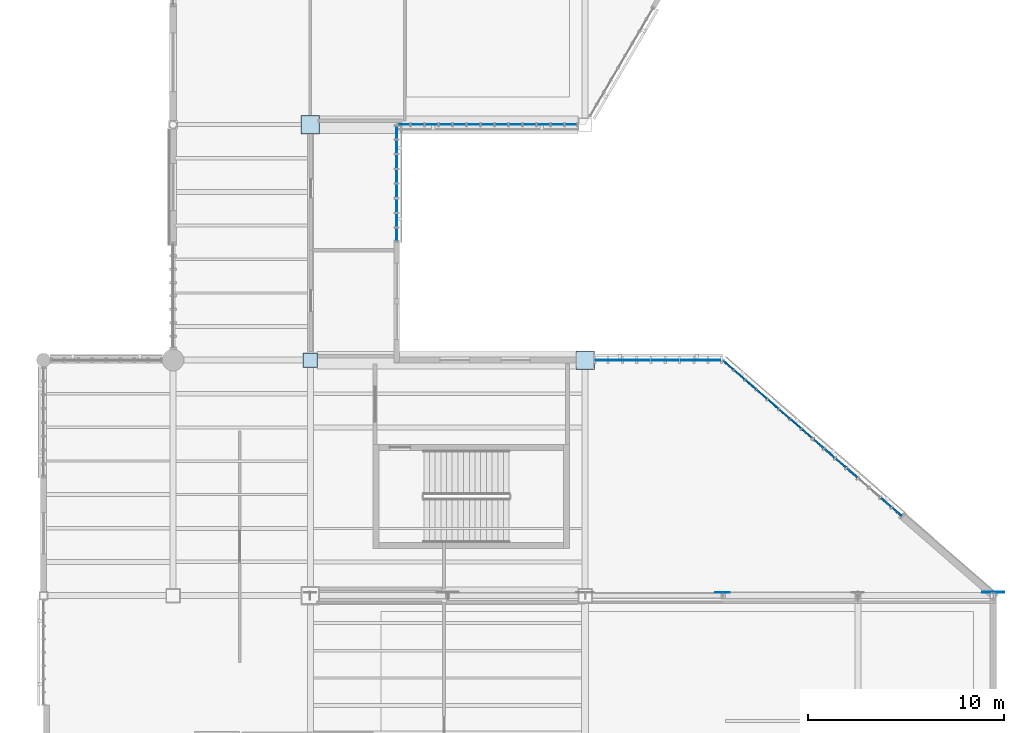
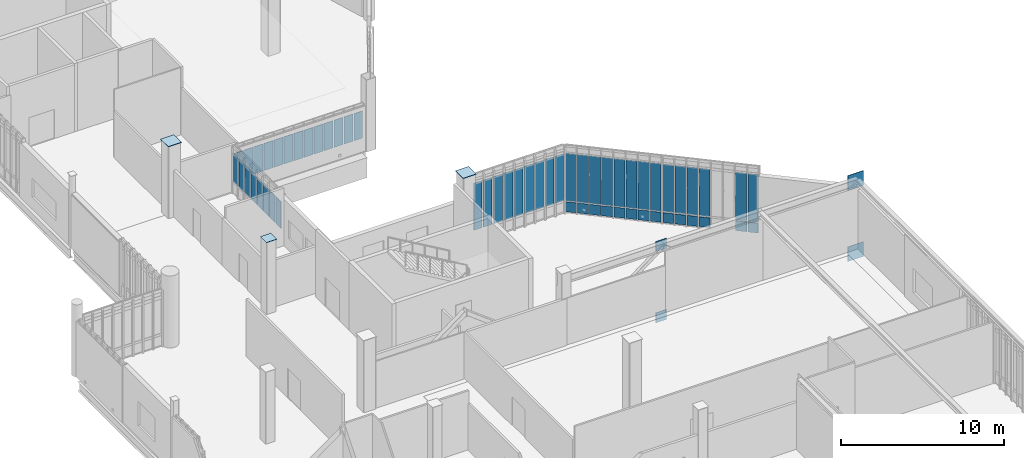
# One storey, part 87 of 135: 65 plates, 5 elements without a shape of their own.
"""IFC4 building model written with IfcOpenShell, lengths in metres."""

from ifc_helpers import new_model, si_unit, direction, frame, origin, origin_2d, place, context, subcontext, project, spatial, rectangle, extrude, material, layer, layer_set, type_object, element, aggregate, save


model = new_model("IFC4")

# Units and contexts
model_context = context("Model", 3, precision=1e-05, world=origin(), true_north=direction((0.0, 1.0)))
body_context = subcontext(model_context, "Body", "Model", "MODEL_VIEW")
ifc_project = project(units=[si_unit("LENGTHUNIT", "METRE"), si_unit("AREAUNIT", "SQUARE_METRE"), si_unit("VOLUMEUNIT", "CUBIC_METRE"), si_unit("PLANEANGLEUNIT", "RADIAN"), si_unit("MASSUNIT", "GRAM", prefix="KILO")], contexts=[model_context])

# Site, building, storey
site_placement = place(None, origin())
site = spatial("IfcSite", under=ifc_project, at=site_placement, CompositionType="ELEMENT")
building_placement = place(site_placement, origin())
building = spatial("IfcBuilding", under=site, at=building_placement, Name="Larkvane Passage Sports Hall", CompositionType="ELEMENT")
storey_placement = place(building_placement, frame((0.0, 0.0, 16.800048828125)))
storey = spatial("IfcBuildingStorey", under=building, at=storey_placement, Name="L03", CompositionType="ELEMENT", Elevation=16.800048828125)

# Curtain wall, plates
ifc_material_1 = material(Name="Thermally broken aluminium and low-E glazing", Category="aluminium")
curtain_wall_type_1 = type_object("IfcCurtainWallType", Name="CW-UNIT-COURT", PredefinedType="USERDEFINED", material=ifc_material_1)
curtain_wall_1_placement = place(storey_placement, origin())
curtain_wall_1 = element("IfcCurtainWall", 1, at=curtain_wall_1_placement, inside=storey, type_object=curtain_wall_type_1, Name="Curtain wall CW5-L03-112", ObjectType="UNITISED CURTAIN WALL", PredefinedType="USERDEFINED")
ifc_material_2 = material(Name="Insulated aluminium spandrel panel", Category="aluminium")
ifc_layer_1 = layer(ifc_material_2, 0.06494140625)
ifc_layer_set_1 = layer_set([ifc_layer_1], Name="Insulated aluminium spandrel panel")
plate_type_1 = type_object("IfcPlateType", Name="CWP-SPD-65", PredefinedType="CURTAIN_PANEL", material=ifc_layer_set_1)
plate_1_placement = place(storey_placement, frame((152.899658203125, 51.33935546875, 0.06494140625), z_axis=(0.0, 0.0, 1.0), x_axis=(0.754605522159, -0.65617871493, 0.0)))
plate_1 = element("IfcPlate", 2, at=plate_1_placement, type_object=plate_type_1, Name="CW-01 panel 1.1", PredefinedType="CURTAIN_PANEL", context=body_context, shape_type="SweptSolid", body=[
    extrude(rectangle(XDim=0.66455078125, YDim=0.06494140625, at=origin_2d()), origin(), (0.0, 0.0, 1.0), 0.75244140625),
])
plate_2_placement = place(storey_placement, frame((153.46240234375, 50.85009765625, 0.06494140625), z_axis=(0.0, 0.0, 1.0), x_axis=(0.754605522159, -0.65617871493, 0.0)))
plate_2 = element("IfcPlate", 3, at=plate_2_placement, type_object=plate_type_1, Name="CW-01 panel 2.1", PredefinedType="CURTAIN_PANEL", context=body_context, shape_type="SweptSolid", body=[
    extrude(rectangle(XDim=0.697021484375, YDim=0.06494140625, at=origin_2d()), origin(), (0.0, 0.0, 1.0), 0.75244140625),
])
plate_3_placement = place(storey_placement, frame((154.03759765625, 50.35009765625, 0.06494140625), z_axis=(0.0, 0.0, 1.0), x_axis=(0.754605522159, -0.65617871493, 0.0)))
plate_3 = element("IfcPlate", 4, at=plate_3_placement, type_object=plate_type_1, Name="CW-01 panel 3.1", PredefinedType="CURTAIN_PANEL", context=body_context, shape_type="SweptSolid", body=[
    extrude(rectangle(XDim=0.697021484375, YDim=0.06494140625, at=origin_2d()), origin(), (0.0, 0.0, 1.0), 0.75244140625),
])
plate_4_placement = place(storey_placement, frame((154.612548828125, 49.85009765625, 0.06494140625), z_axis=(0.0, 0.0, 1.0), x_axis=(0.754605522159, -0.65617871493, 0.0)))
plate_4 = element("IfcPlate", 5, at=plate_4_placement, type_object=plate_type_1, Name="CW-01 panel 4.1", PredefinedType="CURTAIN_PANEL", context=body_context, shape_type="SweptSolid", body=[
    extrude(rectangle(XDim=0.697021484375, YDim=0.06494140625, at=origin_2d()), origin(), (0.0, 0.0, 1.0), 0.75244140625),
])
plate_5_placement = place(storey_placement, frame((155.1875, 49.35009765625, 0.06494140625), z_axis=(0.0, 0.0, 1.0), x_axis=(0.754605522159, -0.65617871493, 0.0)))
plate_5 = element("IfcPlate", 6, at=plate_5_placement, type_object=plate_type_1, Name="CW-01 panel 5.1", PredefinedType="CURTAIN_PANEL", context=body_context, shape_type="SweptSolid", body=[
    extrude(rectangle(XDim=0.697021484375, YDim=0.06494140625, at=origin_2d()), origin(), (0.0, 0.0, 1.0), 0.75244140625),
])
plate_6_placement = place(storey_placement, frame((155.762451171875, 48.85009765625, 0.06494140625), z_axis=(0.0, 0.0, 1.0), x_axis=(0.754605522159, -0.65617871493, 0.0)))
plate_6 = element("IfcPlate", 7, at=plate_6_placement, type_object=plate_type_1, Name="CW-01 panel 6.1", PredefinedType="CURTAIN_PANEL", context=body_context, shape_type="SweptSolid", body=[
    extrude(rectangle(XDim=0.697021484375, YDim=0.06494140625, at=origin_2d()), origin(), (0.0, 0.0, 1.0), 0.75244140625),
])
plate_7_placement = place(storey_placement, frame((156.33740234375, 48.35009765625, 0.06494140625), z_axis=(0.0, 0.0, 1.0), x_axis=(0.754605522159, -0.65617871493, 0.0)))
plate_7 = element("IfcPlate", 8, at=plate_7_placement, type_object=plate_type_1, Name="CW-01 panel 7.1", PredefinedType="CURTAIN_PANEL", context=body_context, shape_type="SweptSolid", body=[
    extrude(rectangle(XDim=0.697021484375, YDim=0.06494140625, at=origin_2d()), origin(), (0.0, 0.0, 1.0), 0.75244140625),
])
plate_8_placement = place(storey_placement, frame((156.900146484375, 47.860595703125, 0.06494140625), z_axis=(0.0, 0.0, 1.0), x_axis=(0.754605522159, -0.65617871493, 0.0)))
plate_8 = element("IfcPlate", 9, at=plate_8_placement, type_object=plate_type_1, Name="CW-01 panel 8.1", PredefinedType="CURTAIN_PANEL", context=body_context, shape_type="SweptSolid", body=[
    extrude(rectangle(XDim=0.66455078125, YDim=0.06494140625, at=origin_2d()), origin(), (0.0, 0.0, 1.0), 0.75244140625),
])

curtain_wall_type_2 = type_object("IfcCurtainWallType", Name="CW-UNIT-VEIL", PredefinedType="USERDEFINED", material=ifc_material_1)
curtain_wall_2_placement = place(storey_placement, origin())
curtain_wall_2 = element("IfcCurtainWall", 10, at=curtain_wall_2_placement, inside=storey, type_object=curtain_wall_type_2, Name="Curtain wall CW5-L03-113", ObjectType="UNITISED CURTAIN WALL", PredefinedType="USERDEFINED")
ifc_material_3 = material(Name="Mineral-wool insulated spandrel cassette")
ifc_layer_2 = layer(ifc_material_3, 0.0849609375)
ifc_layer_set_2 = layer_set([ifc_layer_2], Name="Mineral-wool insulated spandrel cassette")
plate_type_2 = type_object("IfcPlateType", Name="CWP-SPD-85", PredefinedType="CURTAIN_PANEL", material=ifc_layer_set_2)
plate_9_placement = place(storey_placement, frame((157.501708984375, 47.337646484375, 0.07470703125), z_axis=(0.0, 0.0, 1.0), x_axis=(0.754605522159, -0.65617871493, 0.0)))
plate_9 = element("IfcPlate", 11, at=plate_9_placement, type_object=plate_type_2, Name="CW-02 panel 1.1", PredefinedType="CURTAIN_PANEL", context=body_context, shape_type="SweptSolid", body=[
    extrude(rectangle(XDim=0.6494140625, YDim=0.0849609375, at=origin_2d()), origin(), (0.0, 0.0, 1.0), 0.737548828125),
])
plate_10_placement = place(storey_placement, frame((158.0625, 46.85009765625, 0.07470703125), z_axis=(0.0, 0.0, 1.0), x_axis=(0.754605522159, -0.65617871493, 0.0)))
plate_10 = element("IfcPlate", 12, at=plate_10_placement, type_object=plate_type_2, Name="CW-02 panel 2.1", PredefinedType="CURTAIN_PANEL", context=body_context, shape_type="SweptSolid", body=[
    extrude(rectangle(XDim=0.68701171875, YDim=0.0849609375, at=origin_2d()), origin(), (0.0, 0.0, 1.0), 0.737548828125),
])
plate_11_placement = place(storey_placement, frame((158.637451171875, 46.35009765625, 0.07470703125), z_axis=(0.0, 0.0, 1.0), x_axis=(0.754605522159, -0.65617871493, 0.0)))
plate_11 = element("IfcPlate", 13, at=plate_11_placement, type_object=plate_type_2, Name="CW-02 panel 3.1", PredefinedType="CURTAIN_PANEL", context=body_context, shape_type="SweptSolid", body=[
    extrude(rectangle(XDim=0.68701171875, YDim=0.0849609375, at=origin_2d()), origin(), (0.0, 0.0, 1.0), 0.737548828125),
])
plate_12_placement = place(storey_placement, frame((159.21240234375, 45.85009765625, 0.07470703125), z_axis=(0.0, 0.0, 1.0), x_axis=(0.754605522159, -0.65617871493, 0.0)))
plate_12 = element("IfcPlate", 14, at=plate_12_placement, type_object=plate_type_2, Name="CW-02 panel 4.1", PredefinedType="CURTAIN_PANEL", context=body_context, shape_type="SweptSolid", body=[
    extrude(rectangle(XDim=0.68701171875, YDim=0.0849609375, at=origin_2d()), origin(), (0.0, 0.0, 1.0), 0.737548828125),
])
plate_13_placement = place(storey_placement, frame((160.9375, 44.35009765625, 0.07470703125), z_axis=(0.0, 0.0, 1.0), x_axis=(0.754605522159, -0.65617871493, 0.0)))
plate_13 = element("IfcPlate", 15, at=plate_13_placement, type_object=plate_type_2, Name="CW-02 panel 7.1", PredefinedType="CURTAIN_PANEL", context=body_context, shape_type="SweptSolid", body=[
    extrude(rectangle(XDim=0.68701171875, YDim=0.0849609375, at=origin_2d()), origin(), (0.0, 0.0, 1.0), 0.737548828125),
])
plate_14_placement = place(storey_placement, frame((161.498291015625, 43.8623046875, 0.07470703125), z_axis=(0.0, 0.0, 1.0), x_axis=(0.754605522159, -0.65617871493, 0.0)))
plate_14 = element("IfcPlate", 16, at=plate_14_placement, type_object=plate_type_2, Name="CW-02 panel 8.1", PredefinedType="CURTAIN_PANEL", context=body_context, shape_type="SweptSolid", body=[
    extrude(rectangle(XDim=0.6494140625, YDim=0.0849609375, at=origin_2d()), origin(), (0.0, 0.0, 1.0), 0.737548828125),
])

# Plate
ifc_material_4 = material(Name="Solar-control low-E double glazing", Category="glass")
ifc_layer_3 = layer(ifc_material_4, 0.028076171875)
ifc_layer_set_3 = layer_set([ifc_layer_3], Name="Solar-control low-E double glazing")
plate_type_3 = type_object("IfcPlateType", Name="CWP-VIS-28", PredefinedType="CURTAIN_PANEL", material=ifc_layer_set_3)
plate_15_placement = place(storey_placement, frame((152.899658203125, 51.33935546875, 0.882568359375), z_axis=(0.0, 0.0, 1.0), x_axis=(0.754605522159, -0.65617871493, 0.0)))
plate_15 = element("IfcPlate", 17, at=plate_15_placement, type_object=plate_type_3, Name="CW-01 panel 1.2", PredefinedType="CURTAIN_PANEL", context=body_context, shape_type="SweptSolid", body=[
    extrude(rectangle(XDim=0.66455078125, YDim=0.028076171875, at=origin_2d()), origin(), (0.0, 0.0, 1.0), 3.56494140625),
])

plate_16_placement = place(storey_placement, frame((153.46240234375, 50.85009765625, 0.882568359375), z_axis=(0.0, 0.0, 1.0), x_axis=(0.754605522159, -0.65617871493, 0.0)))
plate_16 = element("IfcPlate", 18, at=plate_16_placement, type_object=plate_type_3, Name="CW-01 panel 2.2", PredefinedType="CURTAIN_PANEL", context=body_context, shape_type="SweptSolid", body=[
    extrude(rectangle(XDim=0.697021484375, YDim=0.028076171875, at=origin_2d()), origin(), (0.0, 0.0, 1.0), 3.56494140625),
])

plate_17_placement = place(storey_placement, frame((154.03759765625, 50.35009765625, 0.882568359375), z_axis=(0.0, 0.0, 1.0), x_axis=(0.754605522159, -0.65617871493, 0.0)))
plate_17 = element("IfcPlate", 19, at=plate_17_placement, type_object=plate_type_3, Name="CW-01 panel 3.2", PredefinedType="CURTAIN_PANEL", context=body_context, shape_type="SweptSolid", body=[
    extrude(rectangle(XDim=0.697021484375, YDim=0.028076171875, at=origin_2d()), origin(), (0.0, 0.0, 1.0), 3.56494140625),
])

plate_18_placement = place(storey_placement, frame((154.612548828125, 49.85009765625, 0.882568359375), z_axis=(0.0, 0.0, 1.0), x_axis=(0.754605522159, -0.65617871493, 0.0)))
plate_18 = element("IfcPlate", 20, at=plate_18_placement, type_object=plate_type_3, Name="CW-01 panel 4.2", PredefinedType="CURTAIN_PANEL", context=body_context, shape_type="SweptSolid", body=[
    extrude(rectangle(XDim=0.697021484375, YDim=0.028076171875, at=origin_2d()), origin(), (0.0, 0.0, 1.0), 3.56494140625),
])

plate_19_placement = place(storey_placement, frame((155.1875, 49.35009765625, 0.882568359375), z_axis=(0.0, 0.0, 1.0), x_axis=(0.754605522159, -0.65617871493, 0.0)))
plate_19 = element("IfcPlate", 21, at=plate_19_placement, type_object=plate_type_3, Name="CW-01 panel 5.2", PredefinedType="CURTAIN_PANEL", context=body_context, shape_type="SweptSolid", body=[
    extrude(rectangle(XDim=0.697021484375, YDim=0.028076171875, at=origin_2d()), origin(), (0.0, 0.0, 1.0), 3.56494140625),
])

plate_20_placement = place(storey_placement, frame((155.762451171875, 48.85009765625, 0.882568359375), z_axis=(0.0, 0.0, 1.0), x_axis=(0.754605522159, -0.65617871493, 0.0)))
plate_20 = element("IfcPlate", 22, at=plate_20_placement, type_object=plate_type_3, Name="CW-01 panel 6.2", PredefinedType="CURTAIN_PANEL", context=body_context, shape_type="SweptSolid", body=[
    extrude(rectangle(XDim=0.697021484375, YDim=0.028076171875, at=origin_2d()), origin(), (0.0, 0.0, 1.0), 3.56494140625),
])

plate_21_placement = place(storey_placement, frame((156.33740234375, 48.35009765625, 0.882568359375), z_axis=(0.0, 0.0, 1.0), x_axis=(0.754605522159, -0.65617871493, 0.0)))
plate_21 = element("IfcPlate", 23, at=plate_21_placement, type_object=plate_type_3, Name="CW-01 panel 7.2", PredefinedType="CURTAIN_PANEL", context=body_context, shape_type="SweptSolid", body=[
    extrude(rectangle(XDim=0.697021484375, YDim=0.028076171875, at=origin_2d()), origin(), (0.0, 0.0, 1.0), 3.56494140625),
])

plate_22_placement = place(storey_placement, frame((156.900146484375, 47.860595703125, 0.882568359375), z_axis=(0.0, 0.0, 1.0), x_axis=(0.754605522159, -0.65617871493, 0.0)))
plate_22 = element("IfcPlate", 24, at=plate_22_placement, type_object=plate_type_3, Name="CW-01 panel 8.2", PredefinedType="CURTAIN_PANEL", context=body_context, shape_type="SweptSolid", body=[
    extrude(rectangle(XDim=0.66455078125, YDim=0.028076171875, at=origin_2d()), origin(), (0.0, 0.0, 1.0), 3.56494140625),
])

aggregate(curtain_wall_1, [plate_1, plate_15, plate_2, plate_16, plate_3, plate_17, plate_4, plate_18, plate_5, plate_19, plate_6, plate_20, plate_7, plate_21, plate_8, plate_22])

# Curtain wall, plates
curtain_wall_3_placement = place(storey_placement, origin())
curtain_wall_3 = element("IfcCurtainWall", 25, at=curtain_wall_3_placement, inside=storey, type_object=curtain_wall_type_2, Name="Curtain wall CW5-L03-109", ObjectType="UNITISED CURTAIN WALL", PredefinedType="USERDEFINED")
ifc_material_5 = material(Name="Laminated acoustic low-E glazing", Category="glass")
ifc_layer_4 = layer(ifc_material_5, 0.031982421875)
ifc_layer_set_4 = layer_set([ifc_layer_4], Name="Laminated acoustic low-E glazing")
plate_type_4 = type_object("IfcPlateType", Name="CWP-VIS-32", PredefinedType="CURTAIN_PANEL", material=ifc_layer_set_4)
plate_23_placement = place(storey_placement, frame((144.880615234375, 63.60009765625, 0.885009765625), z_axis=(0.0, 0.0, 1.0), x_axis=(-1.0, 0.0, 0.0)))
plate_23 = element("IfcPlate", 26, at=plate_23_placement, type_object=plate_type_4, Name="CW-02 panel 1.2", PredefinedType="CURTAIN_PANEL", context=body_context, shape_type="SweptSolid", body=[
    extrude(rectangle(XDim=0.60693359375, YDim=0.031982421875, at=origin_2d()), origin(), (0.0, 0.0, 1.0), 2.0380859375),
])
plate_24_placement = place(storey_placement, frame((144.186279296875, 63.60009765625, 0.885009765625), z_axis=(0.0, 0.0, 1.0), x_axis=(-1.0, 0.0, 0.0)))
plate_24 = element("IfcPlate", 27, at=plate_24_placement, type_object=plate_type_4, Name="CW-02 panel 2.2", PredefinedType="CURTAIN_PANEL", context=body_context, shape_type="SweptSolid", body=[
    extrude(rectangle(XDim=0.641845703125, YDim=0.031982421875, at=origin_2d()), origin(), (0.0, 0.0, 1.0), 2.0380859375),
])
plate_25_placement = place(storey_placement, frame((143.474365234375, 63.60009765625, 0.885009765625), z_axis=(0.0, 0.0, 1.0), x_axis=(-1.0, 0.0, 0.0)))
plate_25 = element("IfcPlate", 28, at=plate_25_placement, type_object=plate_type_4, Name="CW-02 panel 3.2", PredefinedType="CURTAIN_PANEL", context=body_context, shape_type="SweptSolid", body=[
    extrude(rectangle(XDim=0.641845703125, YDim=0.031982421875, at=origin_2d()), origin(), (0.0, 0.0, 1.0), 2.0380859375),
])
plate_26_placement = place(storey_placement, frame((142.762451171875, 63.60009765625, 0.885009765625), z_axis=(0.0, 0.0, 1.0), x_axis=(-1.0, 0.0, 0.0)))
plate_26 = element("IfcPlate", 29, at=plate_26_placement, type_object=plate_type_4, Name="CW-02 panel 4.2", PredefinedType="CURTAIN_PANEL", context=body_context, shape_type="SweptSolid", body=[
    extrude(rectangle(XDim=0.641845703125, YDim=0.031982421875, at=origin_2d()), origin(), (0.0, 0.0, 1.0), 2.0380859375),
])
plate_27_placement = place(storey_placement, frame((142.05078125, 63.60009765625, 0.885009765625), z_axis=(0.0, 0.0, 1.0), x_axis=(-1.0, 0.0, 0.0)))
plate_27 = element("IfcPlate", 30, at=plate_27_placement, type_object=plate_type_4, Name="CW-02 panel 5.2", PredefinedType="CURTAIN_PANEL", context=body_context, shape_type="SweptSolid", body=[
    extrude(rectangle(XDim=0.641845703125, YDim=0.031982421875, at=origin_2d()), origin(), (0.0, 0.0, 1.0), 2.0380859375),
])
plate_28_placement = place(storey_placement, frame((141.3388671875, 63.60009765625, 0.885009765625), z_axis=(0.0, 0.0, 1.0), x_axis=(-1.0, 0.0, 0.0)))
plate_28 = element("IfcPlate", 31, at=plate_28_placement, type_object=plate_type_4, Name="CW-02 panel 6.2", PredefinedType="CURTAIN_PANEL", context=body_context, shape_type="SweptSolid", body=[
    extrude(rectangle(XDim=0.641845703125, YDim=0.031982421875, at=origin_2d()), origin(), (0.0, 0.0, 1.0), 2.0380859375),
])
plate_29_placement = place(storey_placement, frame((140.626953125, 63.60009765625, 0.885009765625), z_axis=(0.0, 0.0, 1.0), x_axis=(-1.0, 0.0, 0.0)))
plate_29 = element("IfcPlate", 32, at=plate_29_placement, type_object=plate_type_4, Name="CW-02 panel 7.2", PredefinedType="CURTAIN_PANEL", context=body_context, shape_type="SweptSolid", body=[
    extrude(rectangle(XDim=0.641845703125, YDim=0.031982421875, at=origin_2d()), origin(), (0.0, 0.0, 1.0), 2.0380859375),
])
plate_30_placement = place(storey_placement, frame((139.9150390625, 63.60009765625, 0.885009765625), z_axis=(0.0, 0.0, 1.0), x_axis=(-1.0, 0.0, 0.0)))
plate_30 = element("IfcPlate", 33, at=plate_30_placement, type_object=plate_type_4, Name="CW-02 panel 8.2", PredefinedType="CURTAIN_PANEL", context=body_context, shape_type="SweptSolid", body=[
    extrude(rectangle(XDim=0.641845703125, YDim=0.031982421875, at=origin_2d()), origin(), (0.0, 0.0, 1.0), 2.0380859375),
])
plate_31_placement = place(storey_placement, frame((139.203369140625, 63.60009765625, 0.885009765625), z_axis=(0.0, 0.0, 1.0), x_axis=(-1.0, 0.0, 0.0)))
plate_31 = element("IfcPlate", 34, at=plate_31_placement, type_object=plate_type_4, Name="CW-02 panel 9.2", PredefinedType="CURTAIN_PANEL", context=body_context, shape_type="SweptSolid", body=[
    extrude(rectangle(XDim=0.641845703125, YDim=0.031982421875, at=origin_2d()), origin(), (0.0, 0.0, 1.0), 2.0380859375),
])
plate_32_placement = place(storey_placement, frame((138.491455078125, 63.60009765625, 0.885009765625), z_axis=(0.0, 0.0, 1.0), x_axis=(-1.0, 0.0, 0.0)))
plate_32 = element("IfcPlate", 35, at=plate_32_placement, type_object=plate_type_4, Name="CW-02 panel 10.2", PredefinedType="CURTAIN_PANEL", context=body_context, shape_type="SweptSolid", body=[
    extrude(rectangle(XDim=0.641845703125, YDim=0.031982421875, at=origin_2d()), origin(), (0.0, 0.0, 1.0), 2.0380859375),
])
plate_33_placement = place(storey_placement, frame((137.779541015625, 63.60009765625, 0.885009765625), z_axis=(0.0, 0.0, 1.0), x_axis=(-1.0, 0.0, 0.0)))
plate_33 = element("IfcPlate", 36, at=plate_33_placement, type_object=plate_type_4, Name="CW-02 panel 11.2", PredefinedType="CURTAIN_PANEL", context=body_context, shape_type="SweptSolid", body=[
    extrude(rectangle(XDim=0.641845703125, YDim=0.031982421875, at=origin_2d()), origin(), (0.0, 0.0, 1.0), 2.0380859375),
])
plate_34_placement = place(storey_placement, frame((137.06787109375, 63.60009765625, 0.885009765625), z_axis=(0.0, 0.0, 1.0), x_axis=(-1.0, 0.0, 0.0)))
plate_34 = element("IfcPlate", 37, at=plate_34_placement, type_object=plate_type_4, Name="CW-02 panel 12.2", PredefinedType="CURTAIN_PANEL", context=body_context, shape_type="SweptSolid", body=[
    extrude(rectangle(XDim=0.641845703125, YDim=0.031982421875, at=origin_2d()), origin(), (0.0, 0.0, 1.0), 2.0380859375),
])
plate_35_placement = place(storey_placement, frame((136.37353515625, 63.60009765625, 0.885009765625), z_axis=(0.0, 0.0, 1.0), x_axis=(-1.0, 0.0, 0.0)))
plate_35 = element("IfcPlate", 38, at=plate_35_placement, type_object=plate_type_4, Name="CW-02 panel 13.2", PredefinedType="CURTAIN_PANEL", context=body_context, shape_type="SweptSolid", body=[
    extrude(rectangle(XDim=0.60693359375, YDim=0.031982421875, at=origin_2d()), origin(), (0.0, 0.0, 1.0), 2.0380859375),
])
aggregate(curtain_wall_3, [plate_23, plate_24, plate_25, plate_26, plate_27, plate_28, plate_29, plate_30, plate_31, plate_32, plate_33, plate_34, plate_35])

# Plate
plate_36_placement = place(storey_placement, frame((157.501708984375, 47.337646484375, 0.8876953125), z_axis=(0.0, 0.0, 1.0), x_axis=(0.754605522159, -0.65617871493, 0.0)))
plate_36 = element("IfcPlate", 39, at=plate_36_placement, type_object=plate_type_4, Name="CW-02 panel 1.2", PredefinedType="CURTAIN_PANEL", context=body_context, shape_type="SweptSolid", body=[
    extrude(rectangle(XDim=0.6494140625, YDim=0.031982421875, at=origin_2d()), origin(), (0.0, 0.0, 1.0), 3.554931640625),
])

plate_37_placement = place(storey_placement, frame((158.0625, 46.85009765625, 0.8876953125), z_axis=(0.0, 0.0, 1.0), x_axis=(0.754605522159, -0.65617871493, 0.0)))
plate_37 = element("IfcPlate", 40, at=plate_37_placement, type_object=plate_type_4, Name="CW-02 panel 2.2", PredefinedType="CURTAIN_PANEL", context=body_context, shape_type="SweptSolid", body=[
    extrude(rectangle(XDim=0.68701171875, YDim=0.031982421875, at=origin_2d()), origin(), (0.0, 0.0, 1.0), 3.554931640625),
])

plate_38_placement = place(storey_placement, frame((158.637451171875, 46.35009765625, 0.8876953125), z_axis=(0.0, 0.0, 1.0), x_axis=(0.754605522159, -0.65617871493, 0.0)))
plate_38 = element("IfcPlate", 41, at=plate_38_placement, type_object=plate_type_4, Name="CW-02 panel 3.2", PredefinedType="CURTAIN_PANEL", context=body_context, shape_type="SweptSolid", body=[
    extrude(rectangle(XDim=0.68701171875, YDim=0.031982421875, at=origin_2d()), origin(), (0.0, 0.0, 1.0), 3.554931640625),
])

plate_39_placement = place(storey_placement, frame((159.21240234375, 45.85009765625, 0.8876953125), z_axis=(0.0, 0.0, 1.0), x_axis=(0.754605522159, -0.65617871493, 0.0)))
plate_39 = element("IfcPlate", 42, at=plate_39_placement, type_object=plate_type_4, Name="CW-02 panel 4.2", PredefinedType="CURTAIN_PANEL", context=body_context, shape_type="SweptSolid", body=[
    extrude(rectangle(XDim=0.68701171875, YDim=0.031982421875, at=origin_2d()), origin(), (0.0, 0.0, 1.0), 3.554931640625),
])

plate_40_placement = place(storey_placement, frame((160.9375, 44.35009765625, 0.8876953125), z_axis=(0.0, 0.0, 1.0), x_axis=(0.754605522159, -0.65617871493, 0.0)))
plate_40 = element("IfcPlate", 43, at=plate_40_placement, type_object=plate_type_4, Name="CW-02 panel 7.2", PredefinedType="CURTAIN_PANEL", context=body_context, shape_type="SweptSolid", body=[
    extrude(rectangle(XDim=0.68701171875, YDim=0.031982421875, at=origin_2d()), origin(), (0.0, 0.0, 1.0), 3.554931640625),
])

plate_41_placement = place(storey_placement, frame((161.498291015625, 43.8623046875, 0.8876953125), z_axis=(0.0, 0.0, 1.0), x_axis=(0.754605522159, -0.65617871493, 0.0)))
plate_41 = element("IfcPlate", 44, at=plate_41_placement, type_object=plate_type_4, Name="CW-02 panel 8.2", PredefinedType="CURTAIN_PANEL", context=body_context, shape_type="SweptSolid", body=[
    extrude(rectangle(XDim=0.6494140625, YDim=0.031982421875, at=origin_2d()), origin(), (0.0, 0.0, 1.0), 3.554931640625),
])

aggregate(curtain_wall_2, [plate_9, plate_36, plate_10, plate_37, plate_11, plate_38, plate_12, plate_39, plate_13, plate_40, plate_14, plate_41])

# Curtain wall, plates
curtain_wall_type_3 = type_object("IfcCurtainWallType", Name="CW-STICK-FOYER", PredefinedType="USERDEFINED", material=ifc_material_1)
curtain_wall_4_placement = place(storey_placement, origin())
curtain_wall_4 = element("IfcCurtainWall", 45, at=curtain_wall_4_placement, inside=storey, type_object=curtain_wall_type_3, Name="Curtain wall CW5-L03-110", ObjectType="STICK CURTAIN WALL", PredefinedType="USERDEFINED")
ifc_material_6 = material(Name="High-impact court low-E glazing", Category="glass")
ifc_layer_5 = layer(ifc_material_6, 0.035888671875)
ifc_layer_set_5 = layer_set([ifc_layer_5], Name="High-impact court low-E glazing")
plate_type_5 = type_object("IfcPlateType", Name="CWP-VIS-36", PredefinedType="CURTAIN_PANEL", material=ifc_layer_set_5)
plate_42_placement = place(storey_placement, frame((136.0, 63.205078125, 0.89013671875), z_axis=(0.0, 0.0, 1.0), x_axis=(0.0, -1.0, 0.0)))
plate_42 = element("IfcPlate", 46, at=plate_42_placement, type_object=plate_type_5, Name="CW-03 panel 1.2", PredefinedType="CURTAIN_PANEL", context=body_context, shape_type="SweptSolid", body=[
    extrude(rectangle(XDim=0.6298828125, YDim=0.035888671875, at=origin_2d()), origin(), (0.0, 0.0, 1.0), 2.028076171875),
])
plate_43_placement = place(storey_placement, frame((136.0, 62.47509765625, 0.89013671875), z_axis=(0.0, 0.0, 1.0), x_axis=(0.0, -1.0, 0.0)))
plate_43 = element("IfcPlate", 47, at=plate_43_placement, type_object=plate_type_5, Name="CW-03 panel 2.2", PredefinedType="CURTAIN_PANEL", context=body_context, shape_type="SweptSolid", body=[
    extrude(rectangle(XDim=0.669921875, YDim=0.035888671875, at=origin_2d()), origin(), (0.0, 0.0, 1.0), 2.028076171875),
])
plate_44_placement = place(storey_placement, frame((136.0, 61.72509765625, 0.89013671875), z_axis=(0.0, 0.0, 1.0), x_axis=(0.0, -1.0, 0.0)))
plate_44 = element("IfcPlate", 48, at=plate_44_placement, type_object=plate_type_5, Name="CW-03 panel 3.2", PredefinedType="CURTAIN_PANEL", context=body_context, shape_type="SweptSolid", body=[
    extrude(rectangle(XDim=0.669921875, YDim=0.035888671875, at=origin_2d()), origin(), (0.0, 0.0, 1.0), 2.028076171875),
])
plate_45_placement = place(storey_placement, frame((136.0, 60.97509765625, 0.89013671875), z_axis=(0.0, 0.0, 1.0), x_axis=(0.0, -1.0, 0.0)))
plate_45 = element("IfcPlate", 49, at=plate_45_placement, type_object=plate_type_5, Name="CW-03 panel 4.2", PredefinedType="CURTAIN_PANEL", context=body_context, shape_type="SweptSolid", body=[
    extrude(rectangle(XDim=0.669921875, YDim=0.035888671875, at=origin_2d()), origin(), (0.0, 0.0, 1.0), 2.028076171875),
])
plate_46_placement = place(storey_placement, frame((136.0, 60.22509765625, 0.89013671875), z_axis=(0.0, 0.0, 1.0), x_axis=(0.0, -1.0, 0.0)))
plate_46 = element("IfcPlate", 50, at=plate_46_placement, type_object=plate_type_5, Name="CW-03 panel 5.2", PredefinedType="CURTAIN_PANEL", context=body_context, shape_type="SweptSolid", body=[
    extrude(rectangle(XDim=0.669921875, YDim=0.035888671875, at=origin_2d()), origin(), (0.0, 0.0, 1.0), 2.028076171875),
])
plate_47_placement = place(storey_placement, frame((136.0, 59.47509765625, 0.89013671875), z_axis=(0.0, 0.0, 1.0), x_axis=(0.0, -1.0, 0.0)))
plate_47 = element("IfcPlate", 51, at=plate_47_placement, type_object=plate_type_5, Name="CW-03 panel 6.2", PredefinedType="CURTAIN_PANEL", context=body_context, shape_type="SweptSolid", body=[
    extrude(rectangle(XDim=0.669921875, YDim=0.035888671875, at=origin_2d()), origin(), (0.0, 0.0, 1.0), 2.028076171875),
])
plate_48_placement = place(storey_placement, frame((136.0, 58.72509765625, 0.89013671875), z_axis=(0.0, 0.0, 1.0), x_axis=(0.0, -1.0, 0.0)))
plate_48 = element("IfcPlate", 52, at=plate_48_placement, type_object=plate_type_5, Name="CW-03 panel 7.2", PredefinedType="CURTAIN_PANEL", context=body_context, shape_type="SweptSolid", body=[
    extrude(rectangle(XDim=0.669921875, YDim=0.035888671875, at=origin_2d()), origin(), (0.0, 0.0, 1.0), 2.028076171875),
])
plate_49_placement = place(storey_placement, frame((136.0, 57.9951171875, 0.89013671875), z_axis=(0.0, 0.0, 1.0), x_axis=(0.0, -1.0, 0.0)))
plate_49 = element("IfcPlate", 53, at=plate_49_placement, type_object=plate_type_5, Name="CW-03 panel 8.2", PredefinedType="CURTAIN_PANEL", context=body_context, shape_type="SweptSolid", body=[
    extrude(rectangle(XDim=0.6298828125, YDim=0.035888671875, at=origin_2d()), origin(), (0.0, 0.0, 1.0), 2.028076171875),
])
aggregate(curtain_wall_4, [plate_42, plate_43, plate_44, plate_45, plate_46, plate_47, plate_48, plate_49])

curtain_wall_type_4 = type_object("IfcCurtainWallType", Name="CW-CLINIC", PredefinedType="USERDEFINED", material=ifc_material_1)
curtain_wall_5_placement = place(storey_placement, origin())
curtain_wall_5 = element("IfcCurtainWall", 54, at=curtain_wall_5_placement, inside=storey, type_object=curtain_wall_type_4, Name="Curtain wall CW5-L03-111", ObjectType="UNITISED CURTAIN WALL", PredefinedType="USERDEFINED")
ifc_material_7 = material(Name="Triple-laminated typhoon glazing", Category="glass")
ifc_layer_6 = layer(ifc_material_7, 0.0419921875)
ifc_layer_set_6 = layer_set([ifc_layer_6], Name="Triple-laminated typhoon glazing")
plate_type_6 = type_object("IfcPlateType", Name="CWP-VIS-42", PredefinedType="CURTAIN_PANEL", material=ifc_layer_set_6)
plate_50_placement = place(storey_placement, frame((146.4375, 51.60009765625, 0.905029296875), z_axis=(0.0, 0.0, 1.0), x_axis=(1.0, 0.0, 0.0)))
plate_50 = element("IfcPlate", 55, at=plate_50_placement, type_object=plate_type_6, Name="CW-05 panel 1.2", PredefinedType="CURTAIN_PANEL", context=body_context, shape_type="SweptSolid", body=[
    extrude(rectangle(XDim=0.563232421875, YDim=0.0419921875, at=origin_2d()), origin(), (0.0, 0.0, 1.0), 3.52001953125),
])
plate_51_placement = place(storey_placement, frame((147.138427734375, 51.60009765625, 0.905029296875), z_axis=(0.0, 0.0, 1.0), x_axis=(1.0, 0.0, 0.0)))
plate_51 = element("IfcPlate", 56, at=plate_51_placement, type_object=plate_type_6, Name="CW-05 panel 2.2", PredefinedType="CURTAIN_PANEL", context=body_context, shape_type="SweptSolid", body=[
    extrude(rectangle(XDim=0.6181640625, YDim=0.0419921875, at=origin_2d()), origin(), (0.0, 0.0, 1.0), 3.52001953125),
])
plate_52_placement = place(storey_placement, frame((147.866455078125, 51.60009765625, 0.905029296875), z_axis=(0.0, 0.0, 1.0), x_axis=(1.0, 0.0, 0.0)))
plate_52 = element("IfcPlate", 57, at=plate_52_placement, type_object=plate_type_6, Name="CW-05 panel 3.2", PredefinedType="CURTAIN_PANEL", context=body_context, shape_type="SweptSolid", body=[
    extrude(rectangle(XDim=0.6181640625, YDim=0.0419921875, at=origin_2d()), origin(), (0.0, 0.0, 1.0), 3.52001953125),
])
plate_53_placement = place(storey_placement, frame((148.5947265625, 51.60009765625, 0.905029296875), z_axis=(0.0, 0.0, 1.0), x_axis=(1.0, 0.0, 0.0)))
plate_53 = element("IfcPlate", 58, at=plate_53_placement, type_object=plate_type_6, Name="CW-05 panel 4.2", PredefinedType="CURTAIN_PANEL", context=body_context, shape_type="SweptSolid", body=[
    extrude(rectangle(XDim=0.6181640625, YDim=0.0419921875, at=origin_2d()), origin(), (0.0, 0.0, 1.0), 3.52001953125),
])
plate_54_placement = place(storey_placement, frame((149.322998046875, 51.60009765625, 0.905029296875), z_axis=(0.0, 0.0, 1.0), x_axis=(1.0, 0.0, 0.0)))
plate_54 = element("IfcPlate", 59, at=plate_54_placement, type_object=plate_type_6, Name="CW-05 panel 5.2", PredefinedType="CURTAIN_PANEL", context=body_context, shape_type="SweptSolid", body=[
    extrude(rectangle(XDim=0.6181640625, YDim=0.0419921875, at=origin_2d()), origin(), (0.0, 0.0, 1.0), 3.52001953125),
])
plate_55_placement = place(storey_placement, frame((150.05126953125, 51.60009765625, 0.905029296875), z_axis=(0.0, 0.0, 1.0), x_axis=(1.0, 0.0, 0.0)))
plate_55 = element("IfcPlate", 60, at=plate_55_placement, type_object=plate_type_6, Name="CW-05 panel 6.2", PredefinedType="CURTAIN_PANEL", context=body_context, shape_type="SweptSolid", body=[
    extrude(rectangle(XDim=0.6181640625, YDim=0.0419921875, at=origin_2d()), origin(), (0.0, 0.0, 1.0), 3.52001953125),
])
plate_56_placement = place(storey_placement, frame((150.779541015625, 51.60009765625, 0.905029296875), z_axis=(0.0, 0.0, 1.0), x_axis=(1.0, 0.0, 0.0)))
plate_56 = element("IfcPlate", 61, at=plate_56_placement, type_object=plate_type_6, Name="CW-05 panel 7.2", PredefinedType="CURTAIN_PANEL", context=body_context, shape_type="SweptSolid", body=[
    extrude(rectangle(XDim=0.6181640625, YDim=0.0419921875, at=origin_2d()), origin(), (0.0, 0.0, 1.0), 3.52001953125),
])
plate_57_placement = place(storey_placement, frame((151.507568359375, 51.60009765625, 0.905029296875), z_axis=(0.0, 0.0, 1.0), x_axis=(1.0, 0.0, 0.0)))
plate_57 = element("IfcPlate", 62, at=plate_57_placement, type_object=plate_type_6, Name="CW-05 panel 8.2", PredefinedType="CURTAIN_PANEL", context=body_context, shape_type="SweptSolid", body=[
    extrude(rectangle(XDim=0.6181640625, YDim=0.0419921875, at=origin_2d()), origin(), (0.0, 0.0, 1.0), 3.52001953125),
])
plate_58_placement = place(storey_placement, frame((152.20849609375, 51.60009765625, 0.905029296875), z_axis=(0.0, 0.0, 1.0), x_axis=(1.0, 0.0, 0.0)))
plate_58 = element("IfcPlate", 63, at=plate_58_placement, type_object=plate_type_6, Name="CW-05 panel 9.2", PredefinedType="CURTAIN_PANEL", context=body_context, shape_type="SweptSolid", body=[
    extrude(rectangle(XDim=0.563232421875, YDim=0.0419921875, at=origin_2d()), origin(), (0.0, 0.0, 1.0), 3.52001953125),
])
aggregate(curtain_wall_5, [plate_50, plate_51, plate_52, plate_53, plate_54, plate_55, plate_56, plate_57, plate_58])

# Plates
ifc_material_8 = material(Name="Steel S460N", Category="steel")
ifc_layer_7 = layer(ifc_material_8, 0.028076171875)
ifc_layer_set_7 = layer_set([ifc_layer_7], Name="Steel S460N")
plate_type_7 = type_object("IfcPlateType", Name="PLT-CAP-28", PredefinedType="SHEET", material=ifc_layer_set_7)
plate_59_placement = place(storey_placement, frame((131.60009765625, 51.60009765625, 5.39990234375), z_axis=(0.0, 0.0, 1.0), x_axis=(1.0, 0.0, 0.0)))
element("IfcPlate", 64, at=plate_59_placement, inside=storey, type_object=plate_type_7, Name="Hollow section sealed end cap plate 0031", PredefinedType="SHEET", context=body_context, shape_type="SweptSolid", body=[
    extrude(rectangle(XDim=0.739990234375, YDim=0.739990234375, at=origin_2d()), origin(), (0.0, 0.0, 1.0), 0.028076171875),
])
ifc_layer_8 = layer(ifc_material_8, 0.035888671875)
ifc_layer_set_8 = layer_set([ifc_layer_8], Name="Steel S460N")
plate_type_8 = type_object("IfcPlateType", Name="PLT-CAP-36", PredefinedType="SHEET", material=ifc_layer_set_8)
for number, where, z_axis, x_axis, name in (
    (65, (131.60009765625, 63.60009765625, 5.39990234375), (0.0, 0.0, 1.0), (1.0, 0.0, 0.0), "Hollow section sealed end cap plate 0032"),
    (66, (145.60009765625, 51.60009765625, 5.39990234375), (0.0, 0.0, 1.0), (1.0, 0.0, 0.0), "Hollow section sealed end cap plate 0038"),
):
    element("IfcPlate", number, at=place(storey_placement, frame(where, z_axis=z_axis, x_axis=x_axis)), inside=storey, type_object=plate_type_8, Name=name, PredefinedType="SHEET", context=body_context, shape_type="SweptSolid", body=[
        extrude(rectangle(XDim=0.93994140625, YDim=0.93994140625, at=origin_2d()), origin(), (0.0, 0.0, 1.0), 0.035888671875),
    ])
ifc_layer_9 = layer(ifc_material_8, 0.02392578125)
ifc_layer_set_9 = layer_set([ifc_layer_9], Name="Steel S460N")
plate_type_9 = type_object("IfcPlateType", Name="PLT-GUS-24", PredefinedType="USERDEFINED", material=ifc_layer_set_9)
for number, where, z_axis, x_axis, name in (
    (67, (152.60009765625, 39.761962890625, -0.989013671875), (0.0, 0.0, 1.0), (1.0, 0.0, 0.0), "Truss node gusset plate ND-4B (CT-E3A-2)"),
    (68, (152.60009765625, 39.761962890625, 4.350830078125), (0.0, 0.0, 1.0), (1.0, 0.0, 0.0), "Truss node gusset plate ND-4T (CT-E3A-2)"),
):
    element("IfcPlate", number, at=place(storey_placement, frame(where, z_axis=z_axis, x_axis=x_axis)), inside=storey, type_object=plate_type_9, Name=name, ObjectType="GUSSET PLATE", PredefinedType="USERDEFINED", context=body_context, shape_type="SweptSolid", body=[
        extrude(rectangle(XDim=0.75, YDim=0.02392578125, at=origin_2d()), origin(), (0.0, 0.0, 1.0), 0.75),
    ])
ifc_layer_10 = layer(ifc_material_8, 0.0400390625)
ifc_layer_set_10 = layer_set([ifc_layer_10], Name="Steel S460N")
plate_type_10 = type_object("IfcPlateType", Name="PLT-GUS-40", PredefinedType="USERDEFINED", material=ifc_layer_set_10)
for number, where, z_axis, x_axis, name in (
    (69, (166.39990234375, 39.77001953125, -1.1640625), (0.0, 0.0, 1.0), (1.0, 0.0, 0.0), "Truss node gusset plate ND-6B (CT-E3A-2)"),
    (70, (166.39990234375, 39.77001953125, 4.17578125), (0.0, 0.0, 1.0), (1.0, 0.0, 0.0), "Truss node gusset plate ND-6T (CT-E3A-2)"),
):
    element("IfcPlate", number, at=place(storey_placement, frame(where, z_axis=z_axis, x_axis=x_axis)), inside=storey, type_object=plate_type_10, Name=name, ObjectType="GUSSET PLATE", PredefinedType="USERDEFINED", context=body_context, shape_type="SweptSolid", body=[
        extrude(rectangle(XDim=1.10009765625, YDim=0.0400390625, at=origin_2d()), origin(), (0.0, 0.0, 1.0), 1.10009765625),
    ])

save(model, "model.ifc")
